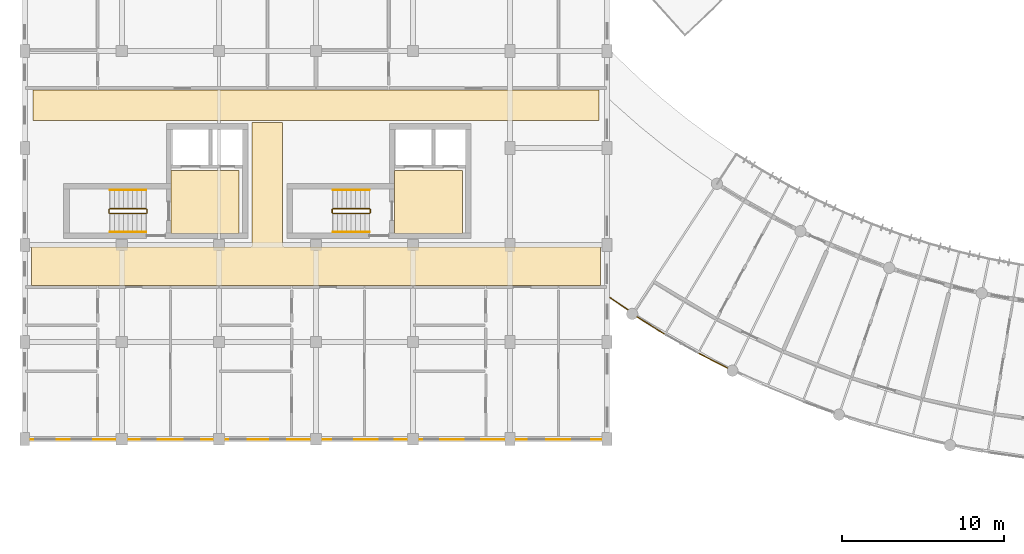
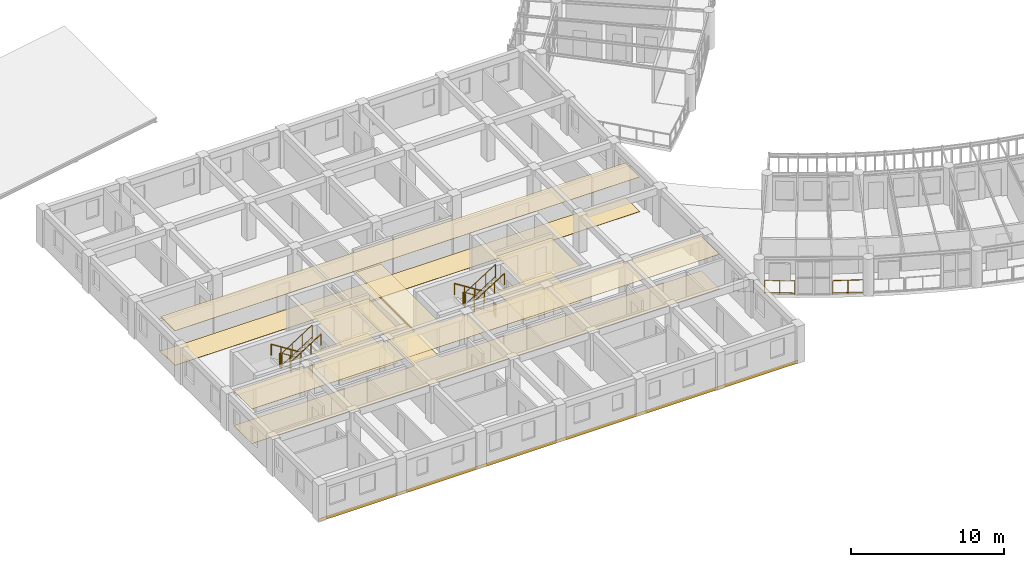
# One storey, part 122 of 137: 15 railings, 9 coverings.
"""IFC4 building model written with IfcOpenShell, lengths in metres."""

from ifc_helpers import new_model, si_unit, direction, frame, origin, origin_2d, place, context, subcontext, project, spatial, polyline, circle, outline, extrude, material, layer, layer_set, type_object, element, save


model = new_model("IFC4")

# Units and contexts
model_context = context("Model", 3, precision=1e-05, world=origin(), true_north=direction((0.0, 1.0)))
body_context = subcontext(model_context, "Body", "Model", "MODEL_VIEW")
ifc_project = project(units=[si_unit("LENGTHUNIT", "METRE"), si_unit("AREAUNIT", "SQUARE_METRE"), si_unit("VOLUMEUNIT", "CUBIC_METRE"), si_unit("PLANEANGLEUNIT", "RADIAN"), si_unit("MASSUNIT", "GRAM", prefix="KILO"), si_unit("POWERUNIT", "WATT"), si_unit("THERMODYNAMICTEMPERATUREUNIT", "KELVIN")], contexts=[model_context])

# Site, building, storey
site_placement = place(None, origin())
site = spatial("IfcSite", under=ifc_project, at=site_placement, CompositionType="ELEMENT")
building_placement = place(site_placement, origin())
building = spatial("IfcBuilding", under=site, at=building_placement, Name="Ruvembo Vaulted Housing Court", CompositionType="ELEMENT")
storey_placement = place(building_placement, frame((0.0, 0.0, 4.5)))
storey = spatial("IfcBuildingStorey", under=building, at=storey_placement, Name="L01", CompositionType="ELEMENT", Elevation=4.5)

# Coverings
ifc_material_1 = material(Name="Perforated Mineral-Fibre Acoustic Tile", Category="gypsum")
ifc_layer_1 = layer(ifc_material_1, 0.02001953125, Name="Perforated Mineral-Fibre Acoustic Tile")
ifc_layer_set_1 = layer_set([ifc_layer_1], Name="Perforated Mineral-Fibre Acoustic Tile")
covering_type_1 = type_object("IfcCoveringType", Name="COV-CEIL-ACOUST", PredefinedType="CEILING", material=ifc_layer_set_1)
covering_1_placement = place(storey_placement, frame((0.0, 0.0, 2.75)))
element("IfcCovering", 1, at=covering_1_placement, inside=storey, type_object=covering_type_1, Name="Firefighting Lift Lobby A1 Ceiling", PredefinedType="CEILING", context=body_context, shape_type="SweptSolid", body=[
    extrude(outline(polyline([(9.050048828125, 22.60009765625), (9.050048828125, 18.699951171875), (13.25, 18.699951171875), (13.25, 22.60009765625), (9.050048828125, 22.60009765625)])), origin(), (0.0, 0.0, 1.0), 0.02001953125),
])
covering_2_placement = place(storey_placement, frame((0.0, 0.0, 2.75)))
element("IfcCovering", 2, at=covering_2_placement, inside=storey, type_object=covering_type_1, Name="Firefighting Lift Lobby A2 Ceiling", PredefinedType="CEILING", context=body_context, shape_type="SweptSolid", body=[
    extrude(outline(polyline([(22.85009765625, 22.60009765625), (22.85009765625, 18.699951171875), (27.050048828125, 18.699951171875), (27.050048828125, 22.60009765625), (22.85009765625, 22.60009765625)])), origin(), (0.0, 0.0, 1.0), 0.02001953125),
])
covering_3_placement = place(storey_placement, frame((0.0, 0.0, 2.75)))
element("IfcCovering", 3, at=covering_3_placement, inside=storey, type_object=covering_type_1, Name="Block A L01 Corridor Ceiling", PredefinedType="CEILING", context=body_context, shape_type="SweptSolid", body=[
    extrude(outline(polyline([(13.949951171875, 17.889892578125), (0.409912109375, 17.889892578125), (0.409912109375, 15.510009765625), (35.590087890625, 15.510009765625), (35.590087890625, 17.889892578125), (16.050048828125, 17.889892578125), (16.039306640625, 17.890380859375), (16.028564453125, 17.89208984375), (16.01806640625, 17.894775390625), (16.0078125, 17.8984375), (15.998046875, 17.903076171875), (15.989013671875, 17.908447265625), (15.980224609375, 17.9150390625), (15.97216796875, 17.922119140625), (15.965087890625, 17.93017578125), (15.95849609375, 17.93896484375), (15.952880859375, 17.947998046875), (15.948486328125, 17.9580078125), (15.944580078125, 17.968017578125), (15.942138671875, 17.978515625), (15.9404296875, 17.9892578125), (15.93994140625, 18.0), (15.93994140625, 25.590087890625), (14.06005859375, 25.590087890625), (14.06005859375, 18.0), (14.0595703125, 17.9892578125), (14.057861328125, 17.978515625), (14.055419921875, 17.968017578125), (14.051513671875, 17.9580078125), (14.047119140625, 17.947998046875), (14.04150390625, 17.93896484375), (14.034912109375, 17.93017578125), (14.02783203125, 17.922119140625), (14.019775390625, 17.9150390625), (14.010986328125, 17.908447265625), (14.001953125, 17.903076171875), (13.9921875, 17.8984375), (13.98193359375, 17.894775390625), (13.971435546875, 17.89208984375), (13.960693359375, 17.890380859375), (13.949951171875, 17.889892578125)])), origin(), (0.0, 0.0, 1.0), 0.02001953125),
])
covering_4_placement = place(storey_placement, frame((0.0, 0.0, 2.75)))
element("IfcCovering", 4, at=covering_4_placement, inside=storey, type_object=covering_type_1, Name="Block A L01 North Sub-Corridor Ceiling", PredefinedType="CEILING", context=body_context, shape_type="SweptSolid", body=[
    extrude(outline(polyline([(35.489990234375, 25.7099609375), (35.489990234375, 27.590087890625), (0.510009765625, 27.590087890625), (0.510009765625, 25.7099609375), (35.489990234375, 25.7099609375)])), origin(), (0.0, 0.0, 1.0), 0.02001953125),
])
ifc_material_2 = material(Name="Lime-Cement Mineral Render", Category="plaster")
ifc_layer_2 = layer(ifc_material_2, 0.02490234375, Name="Lime-Cement Mineral Render")
ifc_layer_set_2 = layer_set([ifc_layer_2], Name="Lime-Cement Mineral Render")
covering_type_2 = type_object("IfcCoveringType", Name="COV-CLAD-RENDER", PredefinedType="CLADDING", material=ifc_layer_set_2)
covering_5_placement = place(storey_placement, frame((0.0, 0.0, -0.25)))
element("IfcCovering", 5, at=covering_5_placement, inside=storey, type_object=covering_type_2, Name="Block A L01 Mineral Render Fascia Band", PredefinedType="CLADDING", context=body_context, shape_type="SweptSolid", body=[
    extrude(outline(polyline([(0.0, 5.969970703125), (36.0, 5.969970703125), (36.0, 6.0), (0.0, 6.0), (0.0, 5.969970703125)])), origin(), (0.0, 0.0, 1.0), 0.25),
])
ifc_material_3 = material(Name="Polished Cement-Aggregate Terrazzo", Category="stone")
ifc_layer_3 = layer(ifc_material_3, 0.02197265625, Name="Polished Cement-Aggregate Terrazzo")
ifc_layer_set_3 = layer_set([ifc_layer_3], Name="Polished Cement-Aggregate Terrazzo")
covering_type_3 = type_object("IfcCoveringType", Name="COV-FLR-CERAMIC", PredefinedType="FLOORING", material=ifc_layer_set_3)
covering_6_placement = place(storey_placement, origin())
element("IfcCovering", 6, at=covering_6_placement, inside=storey, type_object=covering_type_3, Name="Firefighting Lift Lobby A1 Flooring", PredefinedType="FLOORING", context=body_context, shape_type="SweptSolid", body=[
    extrude(outline(polyline([(9.050048828125, 22.60009765625), (9.050048828125, 18.699951171875), (13.25, 18.699951171875), (13.25, 22.60009765625), (9.050048828125, 22.60009765625)])), origin(), (0.0, 0.0, 1.0), 0.02197265625),
])
covering_7_placement = place(storey_placement, origin())
element("IfcCovering", 7, at=covering_7_placement, inside=storey, type_object=covering_type_3, Name="Firefighting Lift Lobby A2 Flooring", PredefinedType="FLOORING", context=body_context, shape_type="SweptSolid", body=[
    extrude(outline(polyline([(22.85009765625, 22.60009765625), (22.85009765625, 18.699951171875), (27.050048828125, 18.699951171875), (27.050048828125, 22.60009765625), (22.85009765625, 22.60009765625)])), origin(), (0.0, 0.0, 1.0), 0.02197265625),
])
covering_8_placement = place(storey_placement, origin())
element("IfcCovering", 8, at=covering_8_placement, inside=storey, type_object=covering_type_3, Name="Block A L01 Corridor Flooring", PredefinedType="FLOORING", context=body_context, shape_type="SweptSolid", body=[
    extrude(outline(polyline([(13.949951171875, 17.889892578125), (0.409912109375, 17.889892578125), (0.409912109375, 15.510009765625), (35.590087890625, 15.510009765625), (35.590087890625, 17.889892578125), (16.050048828125, 17.889892578125), (16.039306640625, 17.890380859375), (16.028564453125, 17.89208984375), (16.01806640625, 17.894775390625), (16.0078125, 17.8984375), (15.998046875, 17.903076171875), (15.989013671875, 17.908447265625), (15.980224609375, 17.9150390625), (15.97216796875, 17.922119140625), (15.965087890625, 17.93017578125), (15.95849609375, 17.93896484375), (15.952880859375, 17.947998046875), (15.948486328125, 17.9580078125), (15.944580078125, 17.968017578125), (15.942138671875, 17.978515625), (15.9404296875, 17.9892578125), (15.93994140625, 18.0), (15.93994140625, 25.590087890625), (14.06005859375, 25.590087890625), (14.06005859375, 18.0), (14.0595703125, 17.9892578125), (14.057861328125, 17.978515625), (14.055419921875, 17.968017578125), (14.051513671875, 17.9580078125), (14.047119140625, 17.947998046875), (14.04150390625, 17.93896484375), (14.034912109375, 17.93017578125), (14.02783203125, 17.922119140625), (14.019775390625, 17.9150390625), (14.010986328125, 17.908447265625), (14.001953125, 17.903076171875), (13.9921875, 17.8984375), (13.98193359375, 17.894775390625), (13.971435546875, 17.89208984375), (13.960693359375, 17.890380859375), (13.949951171875, 17.889892578125)])), origin(), (0.0, 0.0, 1.0), 0.02197265625),
])
covering_9_placement = place(storey_placement, origin())
element("IfcCovering", 9, at=covering_9_placement, inside=storey, type_object=covering_type_3, Name="Block A L01 North Sub-Corridor Flooring", PredefinedType="FLOORING", context=body_context, shape_type="SweptSolid", body=[
    extrude(outline(polyline([(35.489990234375, 25.7099609375), (35.489990234375, 27.590087890625), (0.510009765625, 27.590087890625), (0.510009765625, 25.7099609375), (35.489990234375, 25.7099609375)])), origin(), (0.0, 0.0, 1.0), 0.02197265625),
])

# Railings
ifc_material_4 = material(Name="Galvanised Painted Steel and Laminated Glass", Category="steel")
ifc_layer_4 = layer(ifc_material_4, 0.070068359375, Name="Galvanised Painted Steel and Laminated Glass")
ifc_layer_set_4 = layer_set([ifc_layer_4], Name="Galvanised Painted Steel and Laminated Glass")
railing_type_1 = type_object("IfcRailingType", Name="RL-BALUST-1120", PredefinedType="BALUSTRADE", material=ifc_layer_set_4)
railing_1_placement = place(storey_placement, frame((37.849365234375, 13.557373046875, 0.0)))
element("IfcRailing", 10, at=railing_1_placement, inside=storey, type_object=railing_type_1, Name="L01 Perimeter Guard RL-EXT-L01-0266", PredefinedType="BALUSTRADE", context=body_context, shape_type="SweptSolid", body=[
    extrude(circle(Radius=0.02392578125, at=origin_2d()), frame((0.0, 0.0, 1.09619140625), z_axis=(0.848906322391, -0.528543333895, 0.0), x_axis=(0.528543333895, 0.848906322391, 0.0)), (0.0, 0.0, 1.0), 1.97607421875),
    extrude(circle(Radius=0.01806640625, at=origin_2d()), frame((0.0, 0.0, 0.1201171875), z_axis=(0.848906322391, -0.528543333895, 0.0), x_axis=(0.528543333895, 0.848906322391, 0.0)), (0.0, 0.0, 1.0), 1.97607421875),
    extrude(circle(Radius=0.02099609375, at=origin_2d()), origin(), (0.0, 0.0, 1.0), 1.072021484375),
    extrude(circle(Radius=0.02099609375, at=origin_2d()), frame((0.8388671875, -0.522216796875, 0.0)), (0.0, 0.0, 1.0), 1.072021484375),
    extrude(circle(Radius=0.02099609375, at=origin_2d()), frame((1.677490234375, -1.04443359375, 0.0)), (0.0, 0.0, 1.0), 1.072021484375),
])
railing_2_placement = place(storey_placement, frame((41.6806640625, 11.2919921875, 0.0)))
element("IfcRailing", 11, at=railing_2_placement, inside=storey, type_object=railing_type_1, Name="L01 Perimeter Guard RL-EXT-L01-0267", PredefinedType="BALUSTRADE", context=body_context, shape_type="SweptSolid", body=[
    extrude(circle(Radius=0.02392578125, at=origin_2d()), frame((0.0, 0.0, 1.09619140625), z_axis=(0.88958194402, -0.456775617644, 0.0), x_axis=(0.456775617644, 0.88958194402, 0.0)), (0.0, 0.0, 1.0), 1.97607421875),
    extrude(circle(Radius=0.01806640625, at=origin_2d()), frame((0.0, 0.0, 0.1201171875), z_axis=(0.88958194402, -0.456775617644, 0.0), x_axis=(0.456775617644, 0.88958194402, 0.0)), (0.0, 0.0, 1.0), 1.97607421875),
    extrude(circle(Radius=0.02099609375, at=origin_2d()), origin(), (0.0, 0.0, 1.0), 1.072021484375),
    extrude(circle(Radius=0.02099609375, at=origin_2d()), frame((0.87890625, -0.451171875, 0.0)), (0.0, 0.0, 1.0), 1.072021484375),
    extrude(circle(Radius=0.02099609375, at=origin_2d()), frame((1.7578125, -0.902587890625, 0.0)), (0.0, 0.0, 1.0), 1.072021484375),
])
ifc_material_5 = material(Name="Galvanised Painted Steel S275", Category="steel")
ifc_layer_5 = layer(ifc_material_5, 0.06005859375, Name="Galvanised Painted Steel S275")
ifc_layer_set_5 = layer_set([ifc_layer_5], Name="Galvanised Painted Steel S275")
railing_type_2 = type_object("IfcRailingType", Name="RL-GUARD-1100", PredefinedType="GUARDRAIL", material=ifc_layer_set_5)
railing_3_placement = place(storey_placement, frame((37.280517578125, 14.000244140625, 0.0)))
element("IfcRailing", 12, at=railing_3_placement, inside=storey, type_object=railing_type_2, Name="L01 Perimeter Guard RL-EXT-L01-0908", PredefinedType="GUARDRAIL", context=body_context, shape_type="SweptSolid", body=[
    extrude(circle(Radius=0.02392578125, at=origin_2d()), frame((0.0, 0.0, 1.076171875), z_axis=(-0.82642602125, 0.563045319136, 0.0), x_axis=(-0.563045319136, -0.82642602125, 0.0)), (0.0, 0.0, 1.0), 1.325439453125),
    extrude(circle(Radius=0.01806640625, at=origin_2d()), frame((0.0, 0.0, 0.1201171875), z_axis=(-0.82642602125, 0.563045319136, 0.0), x_axis=(-0.563045319136, -0.82642602125, 0.0)), (0.0, 0.0, 1.0), 1.325439453125),
    extrude(circle(Radius=0.02099609375, at=origin_2d()), origin(), (0.0, 0.0, 1.0), 1.052001953125),
    extrude(circle(Radius=0.02099609375, at=origin_2d()), frame((-0.5478515625, 0.373046875, 0.0)), (0.0, 0.0, 1.0), 1.052001953125),
    extrude(circle(Radius=0.02099609375, at=origin_2d()), frame((-1.095458984375, 0.746337890625, 0.0)), (0.0, 0.0, 1.0), 1.052001953125),
])
ifc_material_6 = material(Name="Painted Galvanised Steel S275", Category="steel")
ifc_layer_6 = layer(ifc_material_6, 0.06005859375, Name="Painted Galvanised Steel S275")
ifc_layer_set_6 = layer_set([ifc_layer_6], Name="Painted Galvanised Steel S275")
railing_type_3 = type_object("IfcRailingType", Name="RL-STAIR-GR1100", PredefinedType="GUARDRAIL", material=ifc_layer_set_6)
railing_4_placement = place(storey_placement, frame((7.5, 20.25, 0.177734375)))
element("IfcRailing", 13, at=railing_4_placement, inside=storey, type_object=railing_type_3, Name="L01 ST-A1 stair guard 1", PredefinedType="GUARDRAIL", context=body_context, shape_type="SweptSolid", body=[
    extrude(circle(Radius=0.02392578125, at=origin_2d()), frame((0.0, 0.0, 1.076171875), z_axis=(-0.84418770128, 0.0, 0.536047689118), x_axis=(0.0, -1.0, 0.0)), (0.0, 0.0, 1.0), 2.6533203125),
    extrude(circle(Radius=0.01806640625, at=origin_2d()), frame((0.0, 0.0, 0.1201171875), z_axis=(-0.84418770128, 0.0, 0.536047689118), x_axis=(0.0, -1.0, 0.0)), (0.0, 0.0, 1.0), 2.6533203125),
    extrude(circle(Radius=0.02099609375, at=origin_2d()), origin(), (0.0, 0.0, 1.0), 1.052001953125),
    extrude(circle(Radius=0.02099609375, at=origin_2d()), frame((-0.74658203125, 0.0, 0.47412109375)), (0.0, 0.0, 1.0), 1.052001953125),
    extrude(circle(Radius=0.02099609375, at=origin_2d()), frame((-1.493408203125, 0.0, 0.9482421875)), (0.0, 0.0, 1.0), 1.052001953125),
    extrude(circle(Radius=0.02099609375, at=origin_2d()), frame((-2.239990234375, 0.0, 1.42236328125)), (0.0, 0.0, 1.0), 1.052001953125),
])
railing_5_placement = place(storey_placement, frame((5.2099609375, 20.199951171875, 1.60009765625)))
element("IfcRailing", 14, at=railing_5_placement, inside=storey, type_object=railing_type_3, Name="L01 ST-A1 stair guard 2", PredefinedType="GUARDRAIL", context=body_context, shape_type="SweptSolid", body=[
    extrude(circle(Radius=0.02392578125, at=origin_2d()), frame((0.0, 0.0, 1.076171875), z_axis=(0.0, -1.0, 0.0), x_axis=(1.0, 0.0, 0.0)), (0.0, 0.0, 1.0), 0.199951171875),
    extrude(circle(Radius=0.01806640625, at=origin_2d()), frame((0.0, 0.0, 0.1201171875), z_axis=(0.0, -1.0, 0.0), x_axis=(1.0, 0.0, 0.0)), (0.0, 0.0, 1.0), 0.199951171875),
    extrude(circle(Radius=0.02099609375, at=origin_2d()), origin(), (0.0, 0.0, 1.0), 1.052001953125),
    extrude(circle(Radius=0.02099609375, at=origin_2d()), frame((0.0, -0.199951171875, 0.0)), (0.0, 0.0, 1.0), 1.052001953125),
])
railing_6_placement = place(storey_placement, frame((5.260009765625, 19.949951171875, 1.77783203125)))
element("IfcRailing", 15, at=railing_6_placement, inside=storey, type_object=railing_type_3, Name="L01 ST-A1 stair guard 3", PredefinedType="GUARDRAIL", context=body_context, shape_type="SweptSolid", body=[
    extrude(circle(Radius=0.02392578125, at=origin_2d()), frame((0.0, 0.0, 1.076171875), z_axis=(0.8442293374, 0.0, 0.53598211339), x_axis=(0.0, 1.0, 0.0)), (0.0, 0.0, 1.0), 2.6533203125),
    extrude(circle(Radius=0.01806640625, at=origin_2d()), frame((0.0, 0.0, 0.1201171875), z_axis=(0.8442293374, 0.0, 0.53598211339), x_axis=(0.0, 1.0, 0.0)), (0.0, 0.0, 1.0), 2.6533203125),
    extrude(circle(Radius=0.02099609375, at=origin_2d()), origin(), (0.0, 0.0, 1.0), 1.052001953125),
    extrude(circle(Radius=0.02099609375, at=origin_2d()), frame((0.74658203125, 0.0, 0.47412109375)), (0.0, 0.0, 1.0), 1.052001953125),
    extrude(circle(Radius=0.02099609375, at=origin_2d()), frame((1.493408203125, 0.0, 0.947998046875)), (0.0, 0.0, 1.0), 1.052001953125),
    extrude(circle(Radius=0.02099609375, at=origin_2d()), frame((2.239990234375, 0.0, 1.422119140625)), (0.0, 0.0, 1.0), 1.052001953125),
])
railing_7_placement = place(storey_placement, frame((7.550048828125, 20.199951171875, 0.0)))
element("IfcRailing", 16, at=railing_7_placement, inside=storey, type_object=railing_type_3, Name="L01 ST-A1 stair guard 4", PredefinedType="GUARDRAIL", context=body_context, shape_type="SweptSolid", body=[
    extrude(circle(Radius=0.02392578125, at=origin_2d()), frame((0.0, 0.0, 1.076171875), z_axis=(0.0, -1.0, 0.0), x_axis=(1.0, 0.0, 0.0)), (0.0, 0.0, 1.0), 0.199951171875),
    extrude(circle(Radius=0.01806640625, at=origin_2d()), frame((0.0, 0.0, 0.1201171875), z_axis=(0.0, -1.0, 0.0), x_axis=(1.0, 0.0, 0.0)), (0.0, 0.0, 1.0), 0.199951171875),
    extrude(circle(Radius=0.02099609375, at=origin_2d()), origin(), (0.0, 0.0, 1.0), 1.052001953125),
    extrude(circle(Radius=0.02099609375, at=origin_2d()), frame((0.0, -0.199951171875, 0.0)), (0.0, 0.0, 1.0), 1.052001953125),
])
railing_8_placement = place(storey_placement, frame((21.300048828125, 20.25, 0.177734375)))
element("IfcRailing", 17, at=railing_8_placement, inside=storey, type_object=railing_type_3, Name="L01 ST-A2 stair guard 1", PredefinedType="GUARDRAIL", context=body_context, shape_type="SweptSolid", body=[
    extrude(circle(Radius=0.02392578125, at=origin_2d()), frame((0.0, 0.0, 1.076171875), z_axis=(-0.84418770128, 0.0, 0.536047689118), x_axis=(0.0, -1.0, 0.0)), (0.0, 0.0, 1.0), 2.6533203125),
    extrude(circle(Radius=0.01806640625, at=origin_2d()), frame((0.0, 0.0, 0.1201171875), z_axis=(-0.84418770128, 0.0, 0.536047689118), x_axis=(0.0, -1.0, 0.0)), (0.0, 0.0, 1.0), 2.6533203125),
    extrude(circle(Radius=0.02099609375, at=origin_2d()), origin(), (0.0, 0.0, 1.0), 1.052001953125),
    extrude(circle(Radius=0.02099609375, at=origin_2d()), frame((-0.74658203125, 0.0, 0.47412109375)), (0.0, 0.0, 1.0), 1.052001953125),
    extrude(circle(Radius=0.02099609375, at=origin_2d()), frame((-1.493408203125, 0.0, 0.9482421875)), (0.0, 0.0, 1.0), 1.052001953125),
    extrude(circle(Radius=0.02099609375, at=origin_2d()), frame((-2.239990234375, 0.0, 1.42236328125)), (0.0, 0.0, 1.0), 1.052001953125),
])
railing_9_placement = place(storey_placement, frame((19.010009765625, 20.199951171875, 1.60009765625)))
element("IfcRailing", 18, at=railing_9_placement, inside=storey, type_object=railing_type_3, Name="L01 ST-A2 stair guard 2", PredefinedType="GUARDRAIL", context=body_context, shape_type="SweptSolid", body=[
    extrude(circle(Radius=0.02392578125, at=origin_2d()), frame((0.0, 0.0, 1.076171875), z_axis=(0.0, -1.0, 0.0), x_axis=(1.0, 0.0, 0.0)), (0.0, 0.0, 1.0), 0.199951171875),
    extrude(circle(Radius=0.01806640625, at=origin_2d()), frame((0.0, 0.0, 0.1201171875), z_axis=(0.0, -1.0, 0.0), x_axis=(1.0, 0.0, 0.0)), (0.0, 0.0, 1.0), 0.199951171875),
    extrude(circle(Radius=0.02099609375, at=origin_2d()), origin(), (0.0, 0.0, 1.0), 1.052001953125),
    extrude(circle(Radius=0.02099609375, at=origin_2d()), frame((0.0, -0.199951171875, 0.0)), (0.0, 0.0, 1.0), 1.052001953125),
])
railing_10_placement = place(storey_placement, frame((19.06005859375, 19.949951171875, 1.77783203125)))
element("IfcRailing", 19, at=railing_10_placement, inside=storey, type_object=railing_type_3, Name="L01 ST-A2 stair guard 3", PredefinedType="GUARDRAIL", context=body_context, shape_type="SweptSolid", body=[
    extrude(circle(Radius=0.02392578125, at=origin_2d()), frame((0.0, 0.0, 1.076171875), z_axis=(0.8442293374, 0.0, 0.53598211339), x_axis=(0.0, 1.0, 0.0)), (0.0, 0.0, 1.0), 2.6533203125),
    extrude(circle(Radius=0.01806640625, at=origin_2d()), frame((0.0, 0.0, 0.1201171875), z_axis=(0.8442293374, 0.0, 0.53598211339), x_axis=(0.0, 1.0, 0.0)), (0.0, 0.0, 1.0), 2.6533203125),
    extrude(circle(Radius=0.02099609375, at=origin_2d()), origin(), (0.0, 0.0, 1.0), 1.052001953125),
    extrude(circle(Radius=0.02099609375, at=origin_2d()), frame((0.74658203125, 0.0, 0.47412109375)), (0.0, 0.0, 1.0), 1.052001953125),
    extrude(circle(Radius=0.02099609375, at=origin_2d()), frame((1.493408203125, 0.0, 0.947998046875)), (0.0, 0.0, 1.0), 1.052001953125),
    extrude(circle(Radius=0.02099609375, at=origin_2d()), frame((2.239990234375, 0.0, 1.422119140625)), (0.0, 0.0, 1.0), 1.052001953125),
])
railing_11_placement = place(storey_placement, frame((21.35009765625, 20.199951171875, 0.0)))
element("IfcRailing", 20, at=railing_11_placement, inside=storey, type_object=railing_type_3, Name="L01 ST-A2 stair guard 4", PredefinedType="GUARDRAIL", context=body_context, shape_type="SweptSolid", body=[
    extrude(circle(Radius=0.02392578125, at=origin_2d()), frame((0.0, 0.0, 1.076171875), z_axis=(0.0, -1.0, 0.0), x_axis=(1.0, 0.0, 0.0)), (0.0, 0.0, 1.0), 0.199951171875),
    extrude(circle(Radius=0.01806640625, at=origin_2d()), frame((0.0, 0.0, 0.1201171875), z_axis=(0.0, -1.0, 0.0), x_axis=(1.0, 0.0, 0.0)), (0.0, 0.0, 1.0), 0.199951171875),
    extrude(circle(Radius=0.02099609375, at=origin_2d()), origin(), (0.0, 0.0, 1.0), 1.052001953125),
    extrude(circle(Radius=0.02099609375, at=origin_2d()), frame((0.0, -0.199951171875, 0.0)), (0.0, 0.0, 1.0), 1.052001953125),
])
ifc_material_7 = material(Name="Brushed Stainless Steel 304", Category="steel")
ifc_layer_7 = layer(ifc_material_7, 0.050048828125, Name="Brushed Stainless Steel 304")
ifc_layer_set_7 = layer_set([ifc_layer_7], Name="Brushed Stainless Steel 304")
railing_type_4 = type_object("IfcRailingType", Name="RL-STAIR-HR920", PredefinedType="HANDRAIL", material=ifc_layer_set_7)
railing_12_placement = place(storey_placement, frame((7.5, 21.39990234375, 0.359375)))
element("IfcRailing", 21, at=railing_12_placement, inside=storey, type_object=railing_type_4, Name="L01 ST-A1 stair handrail 1", PredefinedType="HANDRAIL", context=body_context, shape_type="SweptSolid", body=[
    extrude(circle(Radius=0.02392578125, at=origin_2d()), frame((0.0, 0.0, 0.8759765625), z_axis=(-0.8442293374, 0.0, 0.53598211339), x_axis=(0.0, -1.0, 0.0)), (0.0, 0.0, 1.0), 2.6533203125),
    extrude(circle(Radius=0.02099609375, at=origin_2d()), origin(), (0.0, 0.0, 1.0), 0.851806640625),
    extrude(circle(Radius=0.02099609375, at=origin_2d()), frame((-0.74658203125, 0.0, 0.47412109375)), (0.0, 0.0, 1.0), 0.851806640625),
    extrude(circle(Radius=0.02099609375, at=origin_2d()), frame((-1.493408203125, 0.0, 0.947998046875)), (0.0, 0.0, 1.0), 0.851806640625),
    extrude(circle(Radius=0.02099609375, at=origin_2d()), frame((-2.239990234375, 0.0, 1.422119140625)), (0.0, 0.0, 1.0), 0.851806640625),
])
railing_13_placement = place(storey_placement, frame((5.260009765625, 18.800048828125, 1.959228515625)))
element("IfcRailing", 22, at=railing_13_placement, inside=storey, type_object=railing_type_4, Name="L01 ST-A1 stair handrail 2", PredefinedType="HANDRAIL", context=body_context, shape_type="SweptSolid", body=[
    extrude(circle(Radius=0.02392578125, at=origin_2d()), frame((0.0, 0.0, 0.8759765625), z_axis=(0.84418770128, 0.0, 0.536047689118), x_axis=(0.0, 1.0, 0.0)), (0.0, 0.0, 1.0), 2.6533203125),
    extrude(circle(Radius=0.02099609375, at=origin_2d()), origin(), (0.0, 0.0, 1.0), 0.851806640625),
    extrude(circle(Radius=0.02099609375, at=origin_2d()), frame((0.74658203125, 0.0, 0.47412109375)), (0.0, 0.0, 1.0), 0.851806640625),
    extrude(circle(Radius=0.02099609375, at=origin_2d()), frame((1.493408203125, 0.0, 0.9482421875)), (0.0, 0.0, 1.0), 0.851806640625),
    extrude(circle(Radius=0.02099609375, at=origin_2d()), frame((2.239990234375, 0.0, 1.42236328125)), (0.0, 0.0, 1.0), 0.851806640625),
])
railing_14_placement = place(storey_placement, frame((21.300048828125, 21.39990234375, 0.359375)))
element("IfcRailing", 23, at=railing_14_placement, inside=storey, type_object=railing_type_4, Name="L01 ST-A2 stair handrail 1", PredefinedType="HANDRAIL", context=body_context, shape_type="SweptSolid", body=[
    extrude(circle(Radius=0.02392578125, at=origin_2d()), frame((0.0, 0.0, 0.8759765625), z_axis=(-0.8442293374, 0.0, 0.53598211339), x_axis=(0.0, -1.0, 0.0)), (0.0, 0.0, 1.0), 2.6533203125),
    extrude(circle(Radius=0.02099609375, at=origin_2d()), origin(), (0.0, 0.0, 1.0), 0.851806640625),
    extrude(circle(Radius=0.02099609375, at=origin_2d()), frame((-0.74658203125, 0.0, 0.47412109375)), (0.0, 0.0, 1.0), 0.851806640625),
    extrude(circle(Radius=0.02099609375, at=origin_2d()), frame((-1.493408203125, 0.0, 0.947998046875)), (0.0, 0.0, 1.0), 0.851806640625),
    extrude(circle(Radius=0.02099609375, at=origin_2d()), frame((-2.239990234375, 0.0, 1.422119140625)), (0.0, 0.0, 1.0), 0.851806640625),
])
railing_15_placement = place(storey_placement, frame((19.06005859375, 18.800048828125, 1.959228515625)))
element("IfcRailing", 24, at=railing_15_placement, inside=storey, type_object=railing_type_4, Name="L01 ST-A2 stair handrail 2", PredefinedType="HANDRAIL", context=body_context, shape_type="SweptSolid", body=[
    extrude(circle(Radius=0.02392578125, at=origin_2d()), frame((0.0, 0.0, 0.8759765625), z_axis=(0.84418770128, 0.0, 0.536047689118), x_axis=(0.0, 1.0, 0.0)), (0.0, 0.0, 1.0), 2.6533203125),
    extrude(circle(Radius=0.02099609375, at=origin_2d()), origin(), (0.0, 0.0, 1.0), 0.851806640625),
    extrude(circle(Radius=0.02099609375, at=origin_2d()), frame((0.74658203125, 0.0, 0.47412109375)), (0.0, 0.0, 1.0), 0.851806640625),
    extrude(circle(Radius=0.02099609375, at=origin_2d()), frame((1.493408203125, 0.0, 0.9482421875)), (0.0, 0.0, 1.0), 0.851806640625),
    extrude(circle(Radius=0.02099609375, at=origin_2d()), frame((2.239990234375, 0.0, 1.42236328125)), (0.0, 0.0, 1.0), 0.851806640625),
])

save(model, "model.ifc")
